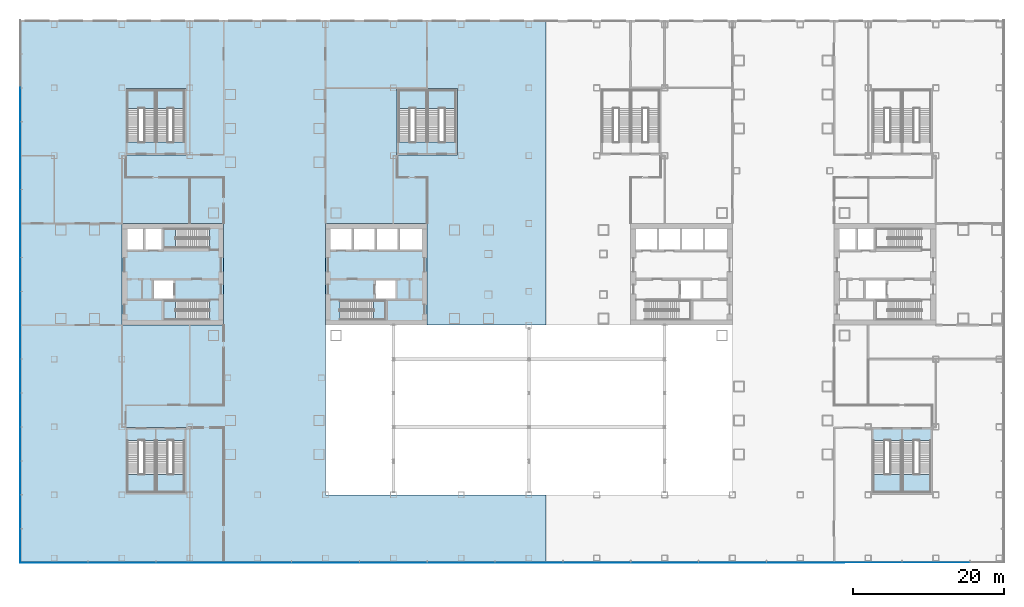
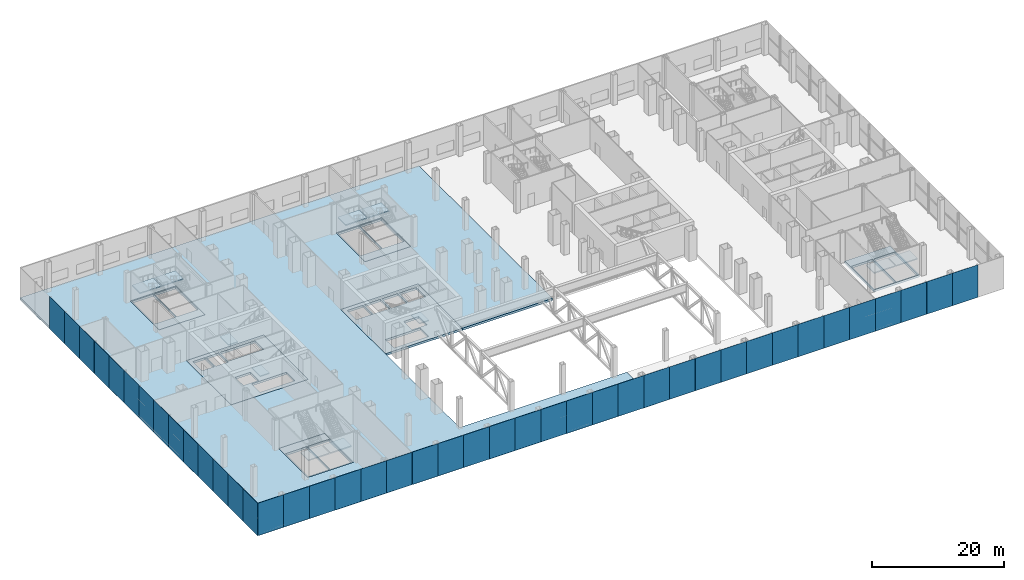
# One storey, part 16 of 33: 42 plates, 18 slabs, 13 elements without a shape of their own.
"""IFC4 building model written with IfcOpenShell, lengths in metres."""

from ifc_helpers import new_model, si_unit, direction, frame, origin, origin_2d, place, context, subcontext, project, spatial, polyline, rectangle, outline, extrude, material, layer, layer_set, type_object, element, aggregate, save


model = new_model("IFC4")

# Units and contexts
model_context = context("Model", 3, precision=1e-05, world=origin(), true_north=direction((0.0, 1.0)))
body_context = subcontext(model_context, "Body", "Model", "MODEL_VIEW")
ifc_project = project(units=[si_unit("LENGTHUNIT", "METRE"), si_unit("AREAUNIT", "SQUARE_METRE"), si_unit("VOLUMEUNIT", "CUBIC_METRE"), si_unit("PLANEANGLEUNIT", "RADIAN"), si_unit("MASSUNIT", "GRAM", prefix="KILO")], contexts=[model_context])

# Site, building, storey
site_placement = place(None, origin())
site = spatial("IfcSite", under=ifc_project, at=site_placement, CompositionType="ELEMENT")
building_placement = place(site_placement, origin())
building = spatial("IfcBuilding", under=site, at=building_placement, Name="Shamsa Quay Exchange Towers", CompositionType="ELEMENT")
storey_placement = place(building_placement, frame((0.0, 0.0, 6.5)))
storey = spatial("IfcBuildingStorey", under=building, at=storey_placement, Name="L01", CompositionType="ELEMENT", Elevation=6.5)

# Slabs
ifc_material_1 = material(Name="Concrete C50/60", Category="concrete")
ifc_layer_1 = layer(ifc_material_1, 0.39990234375)
ifc_layer_set_1 = layer_set([ifc_layer_1], Name="CORE FLOOR 400 C50/60")
slab_type_1 = type_object("IfcSlabType", Name="CORE FLOOR 400 C50/60", PredefinedType="FLOOR", material=ifc_layer_set_1)
slab_1_placement = place(storey_placement, frame((0.0, 0.0, -0.39990234375)))
element("IfcSlab", 1, at=slab_1_placement, inside=storey, type_object=slab_type_1, Name="Core floor T1A", PredefinedType="FLOOR", context=body_context, shape_type="SweptSolid", body=[
    extrude(outline(polyline([(-27.0, -6.75), (-13.5, -6.75), (-13.5, 6.75), (-27.0, 6.75), (-27.0, -6.75)]), holes=[polyline([(-25.099365234375, -6.050048828125), (-25.099365234375, -3.5), (-19.0, -3.5), (-19.0, -6.050048828125), (-25.099365234375, -6.050048828125)]), polyline([(-26.300048828125, 3.25), (-26.300048828125, 6.050048828125), (-23.5, 6.050048828125), (-23.5, 3.25), (-26.300048828125, 3.25)]), polyline([(-23.25, 3.25), (-23.25, 6.050048828125), (-20.449951171875, 6.050048828125), (-20.449951171875, 3.25), (-23.25, 3.25)]), polyline([(-20.199951171875, 3.25), (-20.199951171875, 6.050048828125), (-17.39990234375, 6.050048828125), (-17.39990234375, 3.25), (-20.199951171875, 3.25)]), polyline([(-17.14990234375, 3.25), (-17.14990234375, 6.050048828125), (-14.199951171875, 6.050048828125), (-14.199951171875, 3.25), (-17.14990234375, 3.25)]), polyline([(-20.35009765625, -3.25), (-20.35009765625, -0.75), (-17.699951171875, -0.75), (-17.699951171875, -3.25), (-20.35009765625, -3.25)])]), origin(), (0.0, 0.0, 1.0), 0.39990234375),
])
slab_2_placement = place(storey_placement, frame((0.0, 0.0, -0.39990234375)))
element("IfcSlab", 2, at=slab_2_placement, inside=storey, type_object=slab_type_1, Name="Core floor T1B", PredefinedType="FLOOR", context=body_context, shape_type="SweptSolid", body=[
    extrude(outline(polyline([(-40.5, -6.75), (-40.5, 6.75), (-54.0, 6.75), (-54.0, -6.75), (-40.5, -6.75)]), holes=[polyline([(-42.400634765625, -3.5), (-42.400634765625, -6.050048828125), (-48.5, -6.050048828125), (-48.5, -3.5), (-42.400634765625, -3.5)]), polyline([(-42.400634765625, 6.050048828125), (-42.400634765625, 3.5), (-48.5, 3.5), (-48.5, 6.050048828125), (-42.400634765625, 6.050048828125)]), polyline([(-48.75, 3.25), (-50.89990234375, 3.25), (-50.89990234375, 6.050048828125), (-48.75, 6.050048828125), (-48.75, 3.25)]), polyline([(-51.14990234375, 3.25), (-53.300048828125, 3.25), (-53.300048828125, 6.050048828125), (-51.14990234375, 6.050048828125), (-51.14990234375, 3.25)]), polyline([(-47.14990234375, -3.25), (-49.800048828125, -3.25), (-49.800048828125, -0.75), (-47.14990234375, -0.75), (-47.14990234375, -3.25)])]), origin(), (0.0, 0.0, 1.0), 0.39990234375),
])
slab_3_placement = place(storey_placement, frame((0.0, 0.0, -0.39990234375)))
element("IfcSlab", 3, at=slab_3_placement, inside=storey, type_object=slab_type_1, Name="Stair floor PS1", PredefinedType="FLOOR", context=body_context, shape_type="SweptSolid", body=[
    extrude(outline(polyline([(-53.5, 15.85009765625), (-45.5, 15.85009765625), (-45.5, 24.64990234375), (-53.5, 24.64990234375), (-53.5, 15.85009765625)]), holes=[polyline([(-49.574951171875, 17.55078125), (-53.300048828125, 17.55078125), (-53.300048828125, 24.449951171875), (-49.574951171875, 24.449951171875), (-49.574951171875, 17.55078125)]), polyline([(-45.699951171875, 17.55078125), (-49.425048828125, 17.55078125), (-49.425048828125, 24.449951171875), (-45.699951171875, 24.449951171875), (-45.699951171875, 17.55078125)])]), origin(), (0.0, 0.0, 1.0), 0.39990234375),
])
slab_4_placement = place(storey_placement, frame((0.0, 0.0, -0.39990234375)))
element("IfcSlab", 4, at=slab_4_placement, inside=storey, type_object=slab_type_1, Name="Stair floor PS2", PredefinedType="FLOOR", context=body_context, shape_type="SweptSolid", body=[
    extrude(outline(polyline([(-17.5, 15.85009765625), (-9.5, 15.85009765625), (-9.5, 24.64990234375), (-17.5, 24.64990234375), (-17.5, 15.85009765625)]), holes=[polyline([(-13.574951171875, 17.55078125), (-17.300048828125, 17.55078125), (-17.300048828125, 24.449951171875), (-13.574951171875, 24.449951171875), (-13.574951171875, 17.55078125)]), polyline([(-9.699951171875, 17.55078125), (-13.425048828125, 17.55078125), (-13.425048828125, 24.449951171875), (-9.699951171875, 24.449951171875), (-9.699951171875, 17.55078125)])]), origin(), (0.0, 0.0, 1.0), 0.39990234375),
])
slab_5_placement = place(storey_placement, frame((0.0, 0.0, -0.39990234375)))
element("IfcSlab", 5, at=slab_5_placement, inside=storey, type_object=slab_type_1, Name="Stair floor PS5", PredefinedType="FLOOR", context=body_context, shape_type="SweptSolid", body=[
    extrude(outline(polyline([(-53.5, -29.14990234375), (-45.5, -29.14990234375), (-45.5, -20.35009765625), (-53.5, -20.35009765625), (-53.5, -29.14990234375)]), holes=[polyline([(-53.300048828125, -22.05078125), (-49.574951171875, -22.05078125), (-49.574951171875, -28.949951171875), (-53.300048828125, -28.949951171875), (-53.300048828125, -22.05078125)]), polyline([(-49.425048828125, -22.05078125), (-45.699951171875, -22.05078125), (-45.699951171875, -28.949951171875), (-49.425048828125, -28.949951171875), (-49.425048828125, -22.05078125)])]), origin(), (0.0, 0.0, 1.0), 0.39990234375),
])
slab_6_placement = place(storey_placement, frame((0.0, 0.0, -0.39990234375)))
element("IfcSlab", 6, at=slab_6_placement, inside=storey, type_object=slab_type_1, Name="Stair floor PS6", PredefinedType="FLOOR", context=body_context, shape_type="SweptSolid", body=[
    extrude(outline(polyline([(45.5, -29.14990234375), (53.5, -29.14990234375), (53.5, -20.35009765625), (45.5, -20.35009765625), (45.5, -29.14990234375)]), holes=[polyline([(45.699951171875, -22.05078125), (49.425048828125, -22.05078125), (49.425048828125, -28.949951171875), (45.699951171875, -28.949951171875), (45.699951171875, -22.05078125)]), polyline([(49.574951171875, -22.05078125), (53.300048828125, -22.05078125), (53.300048828125, -28.949951171875), (49.574951171875, -28.949951171875), (49.574951171875, -22.05078125)])]), origin(), (0.0, 0.0, 1.0), 0.39990234375),
])

# Stair, slab
ifc_material_2 = material(Name="Concrete C40/50", Category="concrete")
stair_type_1 = type_object("IfcStairType", Name="EXIT STAIR 34 RISERS 176 MM", PredefinedType="HALF_TURN_STAIR", material=ifc_material_2)
stair_1_placement = place(storey_placement, origin())
stair_1 = element("IfcStair", 7, at=stair_1_placement, inside=storey, type_object=stair_type_1, Name="L01 Exit stair ST1", PredefinedType="HALF_TURN_STAIR")
ifc_layer_2 = layer(ifc_material_2, 0.199951171875)
ifc_layer_set_2 = layer_set([ifc_layer_2], Name="CORE STAIR LANDING")
slab_type_2 = type_object("IfcSlabType", Name="CORE STAIR LANDING", PredefinedType="LANDING", material=ifc_layer_set_2)
slab_7_placement = place(storey_placement, frame((0.0, 0.0, 2.800048828125)))
slab_7 = element("IfcSlab", 8, at=slab_7_placement, type_object=slab_type_2, Name="ST1 landing 1", PredefinedType="LANDING", context=body_context, shape_type="SweptSolid", body=[
    extrude(outline(polyline([(-20.6201171875, -6.050048828125), (-19.0, -6.050048828125), (-19.0, -3.5), (-20.6201171875, -3.5), (-20.6201171875, -6.050048828125)])), origin(), (0.0, 0.0, 1.0), 0.199951171875),
])
aggregate(stair_1, [slab_7])

stair_2_placement = place(storey_placement, origin())
stair_2 = element("IfcStair", 9, at=stair_2_placement, inside=storey, type_object=stair_type_1, Name="L01 Exit stair ST2", PredefinedType="HALF_TURN_STAIR")
slab_8_placement = place(storey_placement, frame((0.0, 0.0, 2.800048828125)))
slab_8 = element("IfcSlab", 10, at=slab_8_placement, type_object=slab_type_2, Name="ST2 landing 1", PredefinedType="LANDING", context=body_context, shape_type="SweptSolid", body=[
    extrude(outline(polyline([(-46.8798828125, -3.5), (-48.5, -3.5), (-48.5, -6.050048828125), (-46.8798828125, -6.050048828125), (-46.8798828125, -3.5)])), origin(), (0.0, 0.0, 1.0), 0.199951171875),
])
aggregate(stair_2, [slab_8])

stair_3_placement = place(storey_placement, origin())
stair_3 = element("IfcStair", 11, at=stair_3_placement, inside=storey, type_object=stair_type_1, Name="L01 Exit stair ST3", PredefinedType="HALF_TURN_STAIR")
slab_9_placement = place(storey_placement, frame((0.0, 0.0, 2.800048828125)))
slab_9 = element("IfcSlab", 12, at=slab_9_placement, type_object=slab_type_2, Name="ST3 landing 1", PredefinedType="LANDING", context=body_context, shape_type="SweptSolid", body=[
    extrude(outline(polyline([(-46.8798828125, 6.050048828125), (-48.5, 6.050048828125), (-48.5, 3.5), (-46.8798828125, 3.5), (-46.8798828125, 6.050048828125)])), origin(), (0.0, 0.0, 1.0), 0.199951171875),
])
aggregate(stair_3, [slab_9])

stair_type_2 = type_object("IfcStairType", Name="PODIUM EXIT STAIR 34 RISERS 176 MM 1500 WIDE", PredefinedType="HALF_TURN_STAIR", material=ifc_material_2)
stair_4_placement = place(storey_placement, origin())
stair_4 = element("IfcStair", 13, at=stair_4_placement, inside=storey, type_object=stair_type_2, Name="L01 Exit stair PS1A", PredefinedType="HALF_TURN_STAIR")
slab_10_placement = place(storey_placement, frame((0.0, 0.0, 2.800048828125)))
slab_10 = element("IfcSlab", 14, at=slab_10_placement, type_object=slab_type_2, Name="PS1A landing 1", PredefinedType="LANDING", context=body_context, shape_type="SweptSolid", body=[
    extrude(outline(polyline([(-49.574951171875, 22.030029296875), (-49.574951171875, 24.449951171875), (-53.300048828125, 24.449951171875), (-53.300048828125, 22.030029296875), (-49.574951171875, 22.030029296875)])), origin(), (0.0, 0.0, 1.0), 0.199951171875),
])
aggregate(stair_4, [slab_10])

stair_5_placement = place(storey_placement, origin())
stair_5 = element("IfcStair", 15, at=stair_5_placement, inside=storey, type_object=stair_type_2, Name="L01 Exit stair PS1B", PredefinedType="HALF_TURN_STAIR")
slab_11_placement = place(storey_placement, frame((0.0, 0.0, 2.800048828125)))
slab_11 = element("IfcSlab", 16, at=slab_11_placement, type_object=slab_type_2, Name="PS1B landing 1", PredefinedType="LANDING", context=body_context, shape_type="SweptSolid", body=[
    extrude(outline(polyline([(-45.699951171875, 22.030029296875), (-45.699951171875, 24.449951171875), (-49.425048828125, 24.449951171875), (-49.425048828125, 22.030029296875), (-45.699951171875, 22.030029296875)])), origin(), (0.0, 0.0, 1.0), 0.199951171875),
])
aggregate(stair_5, [slab_11])

stair_6_placement = place(storey_placement, origin())
stair_6 = element("IfcStair", 17, at=stair_6_placement, inside=storey, type_object=stair_type_2, Name="L01 Exit stair PS2A", PredefinedType="HALF_TURN_STAIR")
slab_12_placement = place(storey_placement, frame((0.0, 0.0, 2.800048828125)))
slab_12 = element("IfcSlab", 18, at=slab_12_placement, type_object=slab_type_2, Name="PS2A landing 1", PredefinedType="LANDING", context=body_context, shape_type="SweptSolid", body=[
    extrude(outline(polyline([(-13.574951171875, 22.030029296875), (-13.574951171875, 24.449951171875), (-17.300048828125, 24.449951171875), (-17.300048828125, 22.030029296875), (-13.574951171875, 22.030029296875)])), origin(), (0.0, 0.0, 1.0), 0.199951171875),
])
aggregate(stair_6, [slab_12])

stair_7_placement = place(storey_placement, origin())
stair_7 = element("IfcStair", 19, at=stair_7_placement, inside=storey, type_object=stair_type_2, Name="L01 Exit stair PS2B", PredefinedType="HALF_TURN_STAIR")
slab_13_placement = place(storey_placement, frame((0.0, 0.0, 2.800048828125)))
slab_13 = element("IfcSlab", 20, at=slab_13_placement, type_object=slab_type_2, Name="PS2B landing 1", PredefinedType="LANDING", context=body_context, shape_type="SweptSolid", body=[
    extrude(outline(polyline([(-9.699951171875, 22.030029296875), (-9.699951171875, 24.449951171875), (-13.425048828125, 24.449951171875), (-13.425048828125, 22.030029296875), (-9.699951171875, 22.030029296875)])), origin(), (0.0, 0.0, 1.0), 0.199951171875),
])
aggregate(stair_7, [slab_13])

stair_8_placement = place(storey_placement, origin())
stair_8 = element("IfcStair", 21, at=stair_8_placement, inside=storey, type_object=stair_type_2, Name="L01 Exit stair PS5A", PredefinedType="HALF_TURN_STAIR")
slab_14_placement = place(storey_placement, frame((0.0, 0.0, 2.800048828125)))
slab_14 = element("IfcSlab", 22, at=slab_14_placement, type_object=slab_type_2, Name="PS5A landing 1", PredefinedType="LANDING", context=body_context, shape_type="SweptSolid", body=[
    extrude(outline(polyline([(-53.300048828125, -26.530029296875), (-53.300048828125, -28.949951171875), (-49.574951171875, -28.949951171875), (-49.574951171875, -26.530029296875), (-53.300048828125, -26.530029296875)])), origin(), (0.0, 0.0, 1.0), 0.199951171875),
])
aggregate(stair_8, [slab_14])

stair_9_placement = place(storey_placement, origin())
stair_9 = element("IfcStair", 23, at=stair_9_placement, inside=storey, type_object=stair_type_2, Name="L01 Exit stair PS5B", PredefinedType="HALF_TURN_STAIR")
slab_15_placement = place(storey_placement, frame((0.0, 0.0, 2.800048828125)))
slab_15 = element("IfcSlab", 24, at=slab_15_placement, type_object=slab_type_2, Name="PS5B landing 1", PredefinedType="LANDING", context=body_context, shape_type="SweptSolid", body=[
    extrude(outline(polyline([(-49.425048828125, -26.530029296875), (-49.425048828125, -28.949951171875), (-45.699951171875, -28.949951171875), (-45.699951171875, -26.530029296875), (-49.425048828125, -26.530029296875)])), origin(), (0.0, 0.0, 1.0), 0.199951171875),
])
aggregate(stair_9, [slab_15])

stair_10_placement = place(storey_placement, origin())
stair_10 = element("IfcStair", 25, at=stair_10_placement, inside=storey, type_object=stair_type_2, Name="L01 Exit stair PS6A", PredefinedType="HALF_TURN_STAIR")
slab_16_placement = place(storey_placement, frame((0.0, 0.0, 2.800048828125)))
slab_16 = element("IfcSlab", 26, at=slab_16_placement, type_object=slab_type_2, Name="PS6A landing 1", PredefinedType="LANDING", context=body_context, shape_type="SweptSolid", body=[
    extrude(outline(polyline([(45.699951171875, -26.530029296875), (45.699951171875, -28.949951171875), (49.425048828125, -28.949951171875), (49.425048828125, -26.530029296875), (45.699951171875, -26.530029296875)])), origin(), (0.0, 0.0, 1.0), 0.199951171875),
])
aggregate(stair_10, [slab_16])

stair_11_placement = place(storey_placement, origin())
stair_11 = element("IfcStair", 27, at=stair_11_placement, inside=storey, type_object=stair_type_2, Name="L01 Exit stair PS6B", PredefinedType="HALF_TURN_STAIR")
slab_17_placement = place(storey_placement, frame((0.0, 0.0, 2.800048828125)))
slab_17 = element("IfcSlab", 28, at=slab_17_placement, type_object=slab_type_2, Name="PS6B landing 1", PredefinedType="LANDING", context=body_context, shape_type="SweptSolid", body=[
    extrude(outline(polyline([(49.574951171875, -26.530029296875), (49.574951171875, -28.949951171875), (53.300048828125, -28.949951171875), (53.300048828125, -26.530029296875), (49.574951171875, -26.530029296875)])), origin(), (0.0, 0.0, 1.0), 0.199951171875),
])
aggregate(stair_11, [slab_17])

# Curtain wall, plates
ifc_material_3 = material(Name="Aluminium EN AW-6063 T6, black anodised", Category="aluminium")
ifc_layer_3 = layer(ifc_material_3, 0.33203125)
ifc_layer_set_3 = layer_set([ifc_layer_3], Name="CW-3 PODIUM SHOPFRONT GLAZING")
curtain_wall_type = type_object("IfcCurtainWallType", Name="CW-3 PODIUM SHOPFRONT GLAZING", PredefinedType="NOTDEFINED", material=ifc_layer_set_3)
curtain_wall_1_placement = place(storey_placement, origin())
curtain_wall_1 = element("IfcCurtainWall", 29, at=curtain_wall_1_placement, inside=storey, type_object=curtain_wall_type, Name="CW3 PODIUM-L01-F02", PredefinedType="NOTDEFINED")
ifc_material_4 = material(Name="Glass, laminated, impact rated, clear low iron", Category="glass")
ifc_layer_4 = layer(ifc_material_4, 0.031982421875)
ifc_layer_set_4 = layer_set([ifc_layer_4], Name="CW-3 SHOPFRONT GLASS 32")
plate_type = type_object("IfcPlateType", Name="CW-3 SHOPFRONT GLASS 32", PredefinedType="CURTAIN_PANEL", material=ifc_layer_set_4)
plate_1_placement = place(storey_placement, frame((-67.51611328125, 22.5, -0.35009765625), z_axis=(0.0, 0.0, 1.0), x_axis=(0.0, -1.0, 0.0)))
plate_1 = element("IfcPlate", 30, at=plate_1_placement, type_object=plate_type, Name="CW3 glass panel", PredefinedType="CURTAIN_PANEL", context=body_context, shape_type="SweptSolid", body=[
    extrude(rectangle(XDim=4.489990234375, YDim=0.031982421875, at=origin_2d()), origin(), (0.0, 0.0, 1.0), 6.0),
])
plate_2_placement = place(storey_placement, frame((-67.51611328125, 18.0, -0.35009765625), z_axis=(0.0, 0.0, 1.0), x_axis=(0.0, -1.0, 0.0)))
plate_2 = element("IfcPlate", 31, at=plate_2_placement, type_object=plate_type, Name="CW3 glass panel", PredefinedType="CURTAIN_PANEL", context=body_context, shape_type="SweptSolid", body=[
    extrude(rectangle(XDim=4.489990234375, YDim=0.031982421875, at=origin_2d()), origin(), (0.0, 0.0, 1.0), 6.0),
])
plate_3_placement = place(storey_placement, frame((-67.51611328125, 13.5, -0.35009765625), z_axis=(0.0, 0.0, 1.0), x_axis=(0.0, -1.0, 0.0)))
plate_3 = element("IfcPlate", 32, at=plate_3_placement, type_object=plate_type, Name="CW3 glass panel", PredefinedType="CURTAIN_PANEL", context=body_context, shape_type="SweptSolid", body=[
    extrude(rectangle(XDim=4.489990234375, YDim=0.031982421875, at=origin_2d()), origin(), (0.0, 0.0, 1.0), 6.0),
])
plate_4_placement = place(storey_placement, frame((-67.51611328125, 9.0, -0.35009765625), z_axis=(0.0, 0.0, 1.0), x_axis=(0.0, -1.0, 0.0)))
plate_4 = element("IfcPlate", 33, at=plate_4_placement, type_object=plate_type, Name="CW3 glass panel", PredefinedType="CURTAIN_PANEL", context=body_context, shape_type="SweptSolid", body=[
    extrude(rectangle(XDim=4.489990234375, YDim=0.031982421875, at=origin_2d()), origin(), (0.0, 0.0, 1.0), 6.0),
])
plate_5_placement = place(storey_placement, frame((-67.51611328125, 4.5, -0.35009765625), z_axis=(0.0, 0.0, 1.0), x_axis=(0.0, -1.0, 0.0)))
plate_5 = element("IfcPlate", 34, at=plate_5_placement, type_object=plate_type, Name="CW3 glass panel", PredefinedType="CURTAIN_PANEL", context=body_context, shape_type="SweptSolid", body=[
    extrude(rectangle(XDim=4.489990234375, YDim=0.031982421875, at=origin_2d()), origin(), (0.0, 0.0, 1.0), 6.0),
])
plate_6_placement = place(storey_placement, frame((-67.51611328125, 0.0, -0.35009765625), z_axis=(0.0, 0.0, 1.0), x_axis=(0.0, -1.0, 0.0)))
plate_6 = element("IfcPlate", 35, at=plate_6_placement, type_object=plate_type, Name="CW3 glass panel", PredefinedType="CURTAIN_PANEL", context=body_context, shape_type="SweptSolid", body=[
    extrude(rectangle(XDim=4.489990234375, YDim=0.031982421875, at=origin_2d()), origin(), (0.0, 0.0, 1.0), 6.0),
])
plate_7_placement = place(storey_placement, frame((-67.51611328125, -4.5, -0.35009765625), z_axis=(0.0, 0.0, 1.0), x_axis=(0.0, -1.0, 0.0)))
plate_7 = element("IfcPlate", 36, at=plate_7_placement, type_object=plate_type, Name="CW3 glass panel", PredefinedType="CURTAIN_PANEL", context=body_context, shape_type="SweptSolid", body=[
    extrude(rectangle(XDim=4.489990234375, YDim=0.031982421875, at=origin_2d()), origin(), (0.0, 0.0, 1.0), 6.0),
])
plate_8_placement = place(storey_placement, frame((-67.51611328125, -9.0, -0.35009765625), z_axis=(0.0, 0.0, 1.0), x_axis=(0.0, -1.0, 0.0)))
plate_8 = element("IfcPlate", 37, at=plate_8_placement, type_object=plate_type, Name="CW3 glass panel", PredefinedType="CURTAIN_PANEL", context=body_context, shape_type="SweptSolid", body=[
    extrude(rectangle(XDim=4.489990234375, YDim=0.031982421875, at=origin_2d()), origin(), (0.0, 0.0, 1.0), 6.0),
])
plate_9_placement = place(storey_placement, frame((-67.51611328125, -13.5, -0.35009765625), z_axis=(0.0, 0.0, 1.0), x_axis=(0.0, -1.0, 0.0)))
plate_9 = element("IfcPlate", 38, at=plate_9_placement, type_object=plate_type, Name="CW3 glass panel", PredefinedType="CURTAIN_PANEL", context=body_context, shape_type="SweptSolid", body=[
    extrude(rectangle(XDim=4.489990234375, YDim=0.031982421875, at=origin_2d()), origin(), (0.0, 0.0, 1.0), 6.0),
])
plate_10_placement = place(storey_placement, frame((-67.51611328125, -18.0, -0.35009765625), z_axis=(0.0, 0.0, 1.0), x_axis=(0.0, -1.0, 0.0)))
plate_10 = element("IfcPlate", 39, at=plate_10_placement, type_object=plate_type, Name="CW3 glass panel", PredefinedType="CURTAIN_PANEL", context=body_context, shape_type="SweptSolid", body=[
    extrude(rectangle(XDim=4.489990234375, YDim=0.031982421875, at=origin_2d()), origin(), (0.0, 0.0, 1.0), 6.0),
])
plate_11_placement = place(storey_placement, frame((-67.51611328125, -22.5, -0.35009765625), z_axis=(0.0, 0.0, 1.0), x_axis=(0.0, -1.0, 0.0)))
plate_11 = element("IfcPlate", 40, at=plate_11_placement, type_object=plate_type, Name="CW3 glass panel", PredefinedType="CURTAIN_PANEL", context=body_context, shape_type="SweptSolid", body=[
    extrude(rectangle(XDim=4.489990234375, YDim=0.031982421875, at=origin_2d()), origin(), (0.0, 0.0, 1.0), 6.0),
])
plate_12_placement = place(storey_placement, frame((-67.51611328125, -27.0, -0.35009765625), z_axis=(0.0, 0.0, 1.0), x_axis=(0.0, -1.0, 0.0)))
plate_12 = element("IfcPlate", 41, at=plate_12_placement, type_object=plate_type, Name="CW3 glass panel", PredefinedType="CURTAIN_PANEL", context=body_context, shape_type="SweptSolid", body=[
    extrude(rectangle(XDim=4.489990234375, YDim=0.031982421875, at=origin_2d()), origin(), (0.0, 0.0, 1.0), 6.0),
])
plate_13_placement = place(storey_placement, frame((-67.51611328125, -31.5, -0.35009765625), z_axis=(0.0, 0.0, 1.0), x_axis=(0.0, -1.0, 0.0)))
plate_13 = element("IfcPlate", 42, at=plate_13_placement, type_object=plate_type, Name="CW3 glass panel", PredefinedType="CURTAIN_PANEL", context=body_context, shape_type="SweptSolid", body=[
    extrude(rectangle(XDim=4.489990234375, YDim=0.031982421875, at=origin_2d()), origin(), (0.0, 0.0, 1.0), 6.0),
])
plate_14_placement = place(storey_placement, frame((-67.51611328125, -36.00244140625, -0.35009765625), z_axis=(0.0, 0.0, 1.0), x_axis=(0.0, -1.0, 0.0)))
plate_14 = element("IfcPlate", 43, at=plate_14_placement, type_object=plate_type, Name="CW3 glass panel", PredefinedType="CURTAIN_PANEL", context=body_context, shape_type="SweptSolid", body=[
    extrude(rectangle(XDim=4.4951171875, YDim=0.031982421875, at=origin_2d()), origin(), (0.0, 0.0, 1.0), 6.0),
])
aggregate(curtain_wall_1, [plate_1, plate_2, plate_3, plate_4, plate_5, plate_6, plate_7, plate_8, plate_9, plate_10, plate_11, plate_12, plate_13, plate_14])

curtain_wall_2_placement = place(storey_placement, origin())
curtain_wall_2 = element("IfcCurtainWall", 44, at=curtain_wall_2_placement, inside=storey, type_object=curtain_wall_type, Name="CW3 PODIUM-L01-F03", PredefinedType="NOTDEFINED")
plate_15_placement = place(storey_placement, frame((-65.25244140625, -38.26611328125, -0.35009765625)))
plate_15 = element("IfcPlate", 45, at=plate_15_placement, type_object=plate_type, Name="CW3 glass panel", PredefinedType="CURTAIN_PANEL", context=body_context, shape_type="SweptSolid", body=[
    extrude(rectangle(XDim=4.4951171875, YDim=0.031982421875, at=origin_2d()), origin(), (0.0, 0.0, 1.0), 6.0),
])
plate_16_placement = place(storey_placement, frame((-60.75, -38.26611328125, -0.35009765625)))
plate_16 = element("IfcPlate", 46, at=plate_16_placement, type_object=plate_type, Name="CW3 glass panel", PredefinedType="CURTAIN_PANEL", context=body_context, shape_type="SweptSolid", body=[
    extrude(rectangle(XDim=4.489990234375, YDim=0.031982421875, at=origin_2d()), origin(), (0.0, 0.0, 1.0), 6.0),
])
plate_17_placement = place(storey_placement, frame((-56.25, -38.26611328125, -0.35009765625)))
plate_17 = element("IfcPlate", 47, at=plate_17_placement, type_object=plate_type, Name="CW3 glass panel", PredefinedType="CURTAIN_PANEL", context=body_context, shape_type="SweptSolid", body=[
    extrude(rectangle(XDim=4.489990234375, YDim=0.031982421875, at=origin_2d()), origin(), (0.0, 0.0, 1.0), 6.0),
])
plate_18_placement = place(storey_placement, frame((-51.75, -38.26611328125, -0.35009765625)))
plate_18 = element("IfcPlate", 48, at=plate_18_placement, type_object=plate_type, Name="CW3 glass panel", PredefinedType="CURTAIN_PANEL", context=body_context, shape_type="SweptSolid", body=[
    extrude(rectangle(XDim=4.489990234375, YDim=0.031982421875, at=origin_2d()), origin(), (0.0, 0.0, 1.0), 6.0),
])
plate_19_placement = place(storey_placement, frame((-47.25, -38.26611328125, -0.35009765625)))
plate_19 = element("IfcPlate", 49, at=plate_19_placement, type_object=plate_type, Name="CW3 glass panel", PredefinedType="CURTAIN_PANEL", context=body_context, shape_type="SweptSolid", body=[
    extrude(rectangle(XDim=4.489990234375, YDim=0.031982421875, at=origin_2d()), origin(), (0.0, 0.0, 1.0), 6.0),
])
plate_20_placement = place(storey_placement, frame((-42.75, -38.26611328125, -0.35009765625)))
plate_20 = element("IfcPlate", 50, at=plate_20_placement, type_object=plate_type, Name="CW3 glass panel", PredefinedType="CURTAIN_PANEL", context=body_context, shape_type="SweptSolid", body=[
    extrude(rectangle(XDim=4.489990234375, YDim=0.031982421875, at=origin_2d()), origin(), (0.0, 0.0, 1.0), 6.0),
])
plate_21_placement = place(storey_placement, frame((-38.25, -38.26611328125, -0.35009765625)))
plate_21 = element("IfcPlate", 51, at=plate_21_placement, type_object=plate_type, Name="CW3 glass panel", PredefinedType="CURTAIN_PANEL", context=body_context, shape_type="SweptSolid", body=[
    extrude(rectangle(XDim=4.489990234375, YDim=0.031982421875, at=origin_2d()), origin(), (0.0, 0.0, 1.0), 6.0),
])
plate_22_placement = place(storey_placement, frame((-33.75, -38.26611328125, -0.35009765625)))
plate_22 = element("IfcPlate", 52, at=plate_22_placement, type_object=plate_type, Name="CW3 glass panel", PredefinedType="CURTAIN_PANEL", context=body_context, shape_type="SweptSolid", body=[
    extrude(rectangle(XDim=4.489990234375, YDim=0.031982421875, at=origin_2d()), origin(), (0.0, 0.0, 1.0), 6.0),
])
plate_23_placement = place(storey_placement, frame((-29.25, -38.26611328125, -0.35009765625)))
plate_23 = element("IfcPlate", 53, at=plate_23_placement, type_object=plate_type, Name="CW3 glass panel", PredefinedType="CURTAIN_PANEL", context=body_context, shape_type="SweptSolid", body=[
    extrude(rectangle(XDim=4.489990234375, YDim=0.031982421875, at=origin_2d()), origin(), (0.0, 0.0, 1.0), 6.0),
])
plate_24_placement = place(storey_placement, frame((-24.75, -38.26611328125, -0.35009765625)))
plate_24 = element("IfcPlate", 54, at=plate_24_placement, type_object=plate_type, Name="CW3 glass panel", PredefinedType="CURTAIN_PANEL", context=body_context, shape_type="SweptSolid", body=[
    extrude(rectangle(XDim=4.489990234375, YDim=0.031982421875, at=origin_2d()), origin(), (0.0, 0.0, 1.0), 6.0),
])
plate_25_placement = place(storey_placement, frame((-20.25, -38.26611328125, -0.35009765625)))
plate_25 = element("IfcPlate", 55, at=plate_25_placement, type_object=plate_type, Name="CW3 glass panel", PredefinedType="CURTAIN_PANEL", context=body_context, shape_type="SweptSolid", body=[
    extrude(rectangle(XDim=4.489990234375, YDim=0.031982421875, at=origin_2d()), origin(), (0.0, 0.0, 1.0), 6.0),
])
plate_26_placement = place(storey_placement, frame((-15.75, -38.26611328125, -0.35009765625)))
plate_26 = element("IfcPlate", 56, at=plate_26_placement, type_object=plate_type, Name="CW3 glass panel", PredefinedType="CURTAIN_PANEL", context=body_context, shape_type="SweptSolid", body=[
    extrude(rectangle(XDim=4.489990234375, YDim=0.031982421875, at=origin_2d()), origin(), (0.0, 0.0, 1.0), 6.0),
])
plate_27_placement = place(storey_placement, frame((-11.25, -38.26611328125, -0.35009765625)))
plate_27 = element("IfcPlate", 57, at=plate_27_placement, type_object=plate_type, Name="CW3 glass panel", PredefinedType="CURTAIN_PANEL", context=body_context, shape_type="SweptSolid", body=[
    extrude(rectangle(XDim=4.489990234375, YDim=0.031982421875, at=origin_2d()), origin(), (0.0, 0.0, 1.0), 6.0),
])
plate_28_placement = place(storey_placement, frame((-6.75, -38.26611328125, -0.35009765625)))
plate_28 = element("IfcPlate", 58, at=plate_28_placement, type_object=plate_type, Name="CW3 glass panel", PredefinedType="CURTAIN_PANEL", context=body_context, shape_type="SweptSolid", body=[
    extrude(rectangle(XDim=4.489990234375, YDim=0.031982421875, at=origin_2d()), origin(), (0.0, 0.0, 1.0), 6.0),
])
plate_29_placement = place(storey_placement, frame((-2.25, -38.26611328125, -0.35009765625)))
plate_29 = element("IfcPlate", 59, at=plate_29_placement, type_object=plate_type, Name="CW3 glass panel", PredefinedType="CURTAIN_PANEL", context=body_context, shape_type="SweptSolid", body=[
    extrude(rectangle(XDim=4.489990234375, YDim=0.031982421875, at=origin_2d()), origin(), (0.0, 0.0, 1.0), 6.0),
])
plate_30_placement = place(storey_placement, frame((2.25, -38.26611328125, -0.35009765625)))
plate_30 = element("IfcPlate", 60, at=plate_30_placement, type_object=plate_type, Name="CW3 glass panel", PredefinedType="CURTAIN_PANEL", context=body_context, shape_type="SweptSolid", body=[
    extrude(rectangle(XDim=4.489990234375, YDim=0.031982421875, at=origin_2d()), origin(), (0.0, 0.0, 1.0), 6.0),
])
plate_31_placement = place(storey_placement, frame((6.75, -38.26611328125, -0.35009765625)))
plate_31 = element("IfcPlate", 61, at=plate_31_placement, type_object=plate_type, Name="CW3 glass panel", PredefinedType="CURTAIN_PANEL", context=body_context, shape_type="SweptSolid", body=[
    extrude(rectangle(XDim=4.489990234375, YDim=0.031982421875, at=origin_2d()), origin(), (0.0, 0.0, 1.0), 6.0),
])
plate_32_placement = place(storey_placement, frame((11.25, -38.26611328125, -0.35009765625)))
plate_32 = element("IfcPlate", 62, at=plate_32_placement, type_object=plate_type, Name="CW3 glass panel", PredefinedType="CURTAIN_PANEL", context=body_context, shape_type="SweptSolid", body=[
    extrude(rectangle(XDim=4.489990234375, YDim=0.031982421875, at=origin_2d()), origin(), (0.0, 0.0, 1.0), 6.0),
])
plate_33_placement = place(storey_placement, frame((15.75, -38.26611328125, -0.35009765625)))
plate_33 = element("IfcPlate", 63, at=plate_33_placement, type_object=plate_type, Name="CW3 glass panel", PredefinedType="CURTAIN_PANEL", context=body_context, shape_type="SweptSolid", body=[
    extrude(rectangle(XDim=4.489990234375, YDim=0.031982421875, at=origin_2d()), origin(), (0.0, 0.0, 1.0), 6.0),
])
plate_34_placement = place(storey_placement, frame((20.25, -38.26611328125, -0.35009765625)))
plate_34 = element("IfcPlate", 64, at=plate_34_placement, type_object=plate_type, Name="CW3 glass panel", PredefinedType="CURTAIN_PANEL", context=body_context, shape_type="SweptSolid", body=[
    extrude(rectangle(XDim=4.489990234375, YDim=0.031982421875, at=origin_2d()), origin(), (0.0, 0.0, 1.0), 6.0),
])
plate_35_placement = place(storey_placement, frame((24.75, -38.26611328125, -0.35009765625)))
plate_35 = element("IfcPlate", 65, at=plate_35_placement, type_object=plate_type, Name="CW3 glass panel", PredefinedType="CURTAIN_PANEL", context=body_context, shape_type="SweptSolid", body=[
    extrude(rectangle(XDim=4.489990234375, YDim=0.031982421875, at=origin_2d()), origin(), (0.0, 0.0, 1.0), 6.0),
])
plate_36_placement = place(storey_placement, frame((29.25, -38.26611328125, -0.35009765625)))
plate_36 = element("IfcPlate", 66, at=plate_36_placement, type_object=plate_type, Name="CW3 glass panel", PredefinedType="CURTAIN_PANEL", context=body_context, shape_type="SweptSolid", body=[
    extrude(rectangle(XDim=4.489990234375, YDim=0.031982421875, at=origin_2d()), origin(), (0.0, 0.0, 1.0), 6.0),
])
plate_37_placement = place(storey_placement, frame((33.75, -38.26611328125, -0.35009765625)))
plate_37 = element("IfcPlate", 67, at=plate_37_placement, type_object=plate_type, Name="CW3 glass panel", PredefinedType="CURTAIN_PANEL", context=body_context, shape_type="SweptSolid", body=[
    extrude(rectangle(XDim=4.489990234375, YDim=0.031982421875, at=origin_2d()), origin(), (0.0, 0.0, 1.0), 6.0),
])
plate_38_placement = place(storey_placement, frame((38.25, -38.26611328125, -0.35009765625)))
plate_38 = element("IfcPlate", 68, at=plate_38_placement, type_object=plate_type, Name="CW3 glass panel", PredefinedType="CURTAIN_PANEL", context=body_context, shape_type="SweptSolid", body=[
    extrude(rectangle(XDim=4.489990234375, YDim=0.031982421875, at=origin_2d()), origin(), (0.0, 0.0, 1.0), 6.0),
])
plate_39_placement = place(storey_placement, frame((42.75, -38.26611328125, -0.35009765625)))
plate_39 = element("IfcPlate", 69, at=plate_39_placement, type_object=plate_type, Name="CW3 glass panel", PredefinedType="CURTAIN_PANEL", context=body_context, shape_type="SweptSolid", body=[
    extrude(rectangle(XDim=4.489990234375, YDim=0.031982421875, at=origin_2d()), origin(), (0.0, 0.0, 1.0), 6.0),
])
plate_40_placement = place(storey_placement, frame((47.25, -38.26611328125, -0.35009765625)))
plate_40 = element("IfcPlate", 70, at=plate_40_placement, type_object=plate_type, Name="CW3 glass panel", PredefinedType="CURTAIN_PANEL", context=body_context, shape_type="SweptSolid", body=[
    extrude(rectangle(XDim=4.489990234375, YDim=0.031982421875, at=origin_2d()), origin(), (0.0, 0.0, 1.0), 6.0),
])
plate_41_placement = place(storey_placement, frame((51.75, -38.26611328125, -0.35009765625)))
plate_41 = element("IfcPlate", 71, at=plate_41_placement, type_object=plate_type, Name="CW3 glass panel", PredefinedType="CURTAIN_PANEL", context=body_context, shape_type="SweptSolid", body=[
    extrude(rectangle(XDim=4.489990234375, YDim=0.031982421875, at=origin_2d()), origin(), (0.0, 0.0, 1.0), 6.0),
])
plate_42_placement = place(storey_placement, frame((56.25, -38.26611328125, -0.35009765625)))
plate_42 = element("IfcPlate", 72, at=plate_42_placement, type_object=plate_type, Name="CW3 glass panel", PredefinedType="CURTAIN_PANEL", context=body_context, shape_type="SweptSolid", body=[
    extrude(rectangle(XDim=4.489990234375, YDim=0.031982421875, at=origin_2d()), origin(), (0.0, 0.0, 1.0), 6.0),
])
aggregate(curtain_wall_2, [plate_15, plate_16, plate_17, plate_18, plate_19, plate_20, plate_21, plate_22, plate_23, plate_24, plate_25, plate_26, plate_27, plate_28, plate_29, plate_30, plate_31, plate_32, plate_33, plate_34, plate_35, plate_36, plate_37, plate_38, plate_39, plate_40, plate_41, plate_42])

# Slab
ifc_layer_5 = layer(ifc_material_2, 0.39990234375)
ifc_layer_set_5 = layer_set([ifc_layer_5], Name="Flat slab 400")
slab_type_3 = type_object("IfcSlabType", Name="Flat slab 400", PredefinedType="FLOOR", material=ifc_layer_set_5)
slab_18_placement = place(storey_placement, frame((0.0, 0.0, -0.39990234375)))
element("IfcSlab", 73, at=slab_18_placement, inside=storey, type_object=slab_type_3, Name="Flat slab PD L01 1", PredefinedType="FLOOR", context=body_context, shape_type="SweptSolid", body=[
    extrude(outline(polyline([(-67.5, 33.75), (-67.5, -38.25), (2.25, -38.25), (2.25, -29.25), (-27.0, -29.25), (-27.0, 6.75), (-13.5, 6.75), (-13.5, -6.75), (2.25, -6.75), (2.25, 33.75), (-67.5, 33.75)]), holes=[polyline([(-53.5, -29.14990234375), (-45.5, -29.14990234375), (-45.5, -20.35009765625), (-53.5, -20.35009765625), (-53.5, -29.14990234375)]), polyline([(-54.0, -6.75), (-40.5, -6.75), (-40.5, 6.75), (-54.0, 6.75), (-54.0, -6.75)]), polyline([(-53.5, 24.64990234375), (-53.5, 15.85009765625), (-45.5, 15.85009765625), (-45.5, 24.64990234375), (-53.5, 24.64990234375)]), polyline([(-17.5, 15.85009765625), (-9.5, 15.85009765625), (-9.5, 24.64990234375), (-17.5, 24.64990234375), (-17.5, 15.85009765625)])]), origin(), (0.0, 0.0, 1.0), 0.39990234375),
])

save(model, "model.ifc")
